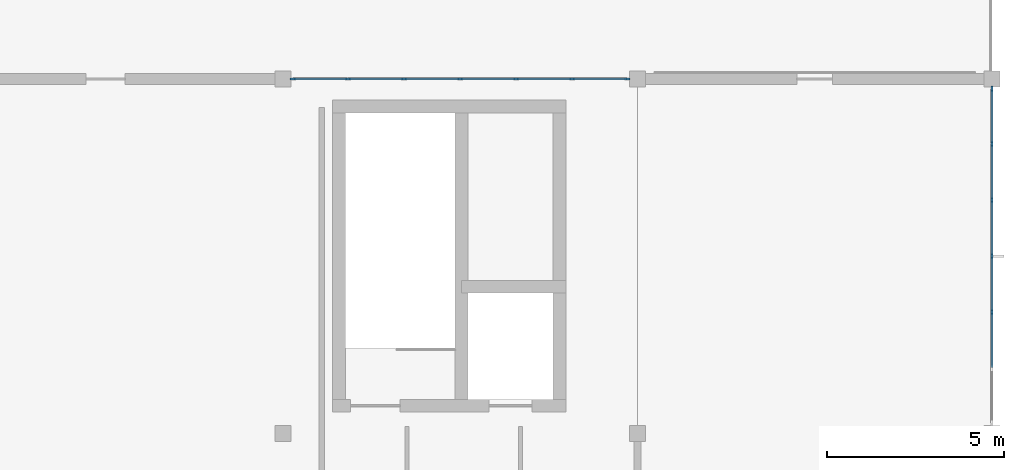
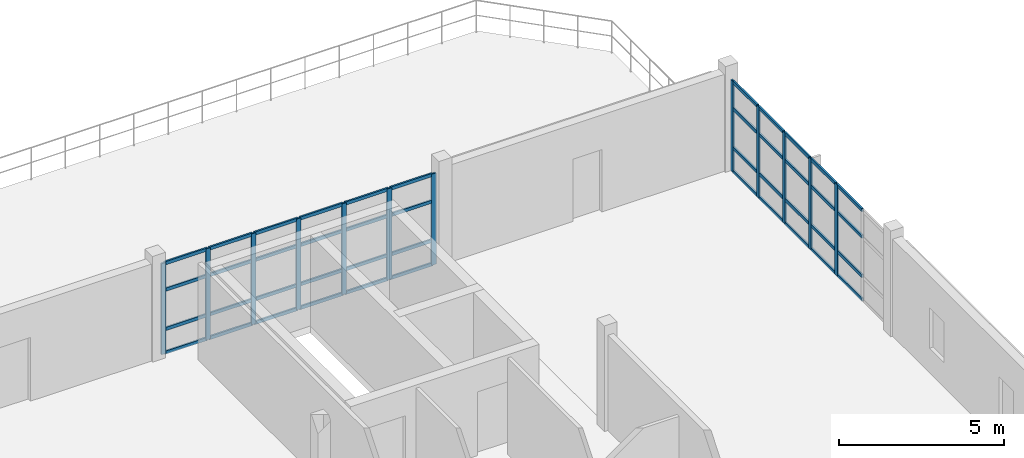
# One storey, part 6 of 11: 56 members, 2 elements without a shape of their own.
"""IFC4 building model written with IfcOpenShell, lengths in metres."""

from ifc_helpers import new_model, si_unit, direction, frame, origin, origin_2d, place, context, subcontext, project, spatial, rectangle, extrude, material, layer, layer_set, material_profile, profile_set, type_object, element, aggregate, save


model = new_model("IFC4")

# Units and contexts
model_context = context("Model", 3, precision=1e-05, world=origin(), true_north=direction((0.0, 1.0)))
body_context = subcontext(model_context, "Body", "Model", "MODEL_VIEW")
ifc_project = project(units=[si_unit("LENGTHUNIT", "METRE"), si_unit("AREAUNIT", "SQUARE_METRE"), si_unit("VOLUMEUNIT", "CUBIC_METRE"), si_unit("PLANEANGLEUNIT", "RADIAN"), si_unit("MASSUNIT", "GRAM", prefix="KILO"), si_unit("THERMODYNAMICTEMPERATUREUNIT", "KELVIN"), si_unit("POWERUNIT", "WATT")], contexts=[model_context])

# Site, building, storey
site_placement = place(None, origin())
site = spatial("IfcSite", under=ifc_project, at=site_placement, CompositionType="ELEMENT")
building_placement = place(site_placement, origin())
building = spatial("IfcBuilding", under=site, at=building_placement, Name="Korenveer Ferry Terminal", CompositionType="ELEMENT")
storey_placement = place(building_placement, frame((0.0, 0.0, 18.300048828125)))
storey = spatial("IfcBuildingStorey", under=building, at=storey_placement, Name="L04", CompositionType="ELEMENT", Elevation=18.300048828125)

# Curtain wall, members
ifc_material_1 = material(Name="Unitised bronze-and-glass curtain wall", Category="glass")
ifc_layer = layer(ifc_material_1, 0.159912109375)
ifc_layer_set = layer_set([ifc_layer], Name="Unitised bronze-and-glass curtain wall")
curtain_wall_type = type_object("IfcCurtainWallType", Name="ENV-CW-131", PredefinedType="USERDEFINED", material=ifc_layer_set)
curtain_wall_1_placement = place(storey_placement, frame((10.2548828125, 60.0, 0.0)))
curtain_wall_1 = element("IfcCurtainWall", 1, at=curtain_wall_1_placement, inside=storey, type_object=curtain_wall_type, Name="Lancet curtain wall CWX-L04-X10-20-Y60-60", ObjectType="UNITISED CURTAIN WALL", PredefinedType="USERDEFINED")
ifc_material_2 = material(Name="Anodised bronze aluminium", Category="aluminium")
ifc_material_profile_1 = material_profile(ifc_material_2, rectangle(XDim=0.06005859375, YDim=0.159912109375, at=origin_2d()), Name="ALU 60x160")
ifc_profile_set_1 = profile_set([ifc_material_profile_1], Name="Anodised bronze aluminium")
member_type_1 = type_object("IfcMemberType", Name="ENV-CWM-60X160", PredefinedType="MULLION", material=ifc_profile_set_1)
member_1_placement = place(storey_placement, frame((10.284912109375, 60.0, 0.0), z_axis=(0.0, 0.0, 1.0), x_axis=(0.0, 1.0, 0.0)))
member_1 = element("IfcMember", 2, at=member_1_placement, type_object=member_type_1, Name="CW-131 mullion 1", PredefinedType="MULLION", context=body_context, shape_type="SweptSolid", body=[
    extrude(rectangle(XDim=0.06005859375, YDim=0.159912109375, at=origin_2d()), origin(), (0.0, 0.0, 1.0), 3.35986328125),
])
member_2_placement = place(storey_placement, frame((11.836669921875, 60.0, 0.0), z_axis=(0.0, 0.0, 1.0), x_axis=(0.0, 1.0, 0.0)))
member_2 = element("IfcMember", 3, at=member_2_placement, type_object=member_type_1, Name="CW-131 mullion 2", PredefinedType="MULLION", context=body_context, shape_type="SweptSolid", body=[
    extrude(rectangle(XDim=0.06005859375, YDim=0.159912109375, at=origin_2d()), origin(), (0.0, 0.0, 1.0), 3.35986328125),
])
member_3_placement = place(storey_placement, frame((13.418212890625, 60.0, 0.0), z_axis=(0.0, 0.0, 1.0), x_axis=(0.0, 1.0, 0.0)))
member_3 = element("IfcMember", 4, at=member_3_placement, type_object=member_type_1, Name="CW-131 mullion 3", PredefinedType="MULLION", context=body_context, shape_type="SweptSolid", body=[
    extrude(rectangle(XDim=0.06005859375, YDim=0.159912109375, at=origin_2d()), origin(), (0.0, 0.0, 1.0), 3.35986328125),
])
member_4_placement = place(storey_placement, frame((15.0, 60.0, 0.0), z_axis=(0.0, 0.0, 1.0), x_axis=(0.0, 1.0, 0.0)))
member_4 = element("IfcMember", 5, at=member_4_placement, type_object=member_type_1, Name="CW-131 mullion 4", PredefinedType="MULLION", context=body_context, shape_type="SweptSolid", body=[
    extrude(rectangle(XDim=0.06005859375, YDim=0.159912109375, at=origin_2d()), origin(), (0.0, 0.0, 1.0), 3.35986328125),
])
member_5_placement = place(storey_placement, frame((16.581787109375, 60.0, 0.0), z_axis=(0.0, 0.0, 1.0), x_axis=(0.0, 1.0, 0.0)))
member_5 = element("IfcMember", 6, at=member_5_placement, type_object=member_type_1, Name="CW-131 mullion 5", PredefinedType="MULLION", context=body_context, shape_type="SweptSolid", body=[
    extrude(rectangle(XDim=0.06005859375, YDim=0.159912109375, at=origin_2d()), origin(), (0.0, 0.0, 1.0), 3.35986328125),
])
member_6_placement = place(storey_placement, frame((18.163330078125, 60.0, 0.0), z_axis=(0.0, 0.0, 1.0), x_axis=(0.0, 1.0, 0.0)))
member_6 = element("IfcMember", 7, at=member_6_placement, type_object=member_type_1, Name="CW-131 mullion 6", PredefinedType="MULLION", context=body_context, shape_type="SweptSolid", body=[
    extrude(rectangle(XDim=0.06005859375, YDim=0.159912109375, at=origin_2d()), origin(), (0.0, 0.0, 1.0), 3.35986328125),
])
member_7_placement = place(storey_placement, frame((19.715087890625, 60.0, 0.0), z_axis=(0.0, 0.0, 1.0), x_axis=(0.0, 1.0, 0.0)))
member_7 = element("IfcMember", 8, at=member_7_placement, type_object=member_type_1, Name="CW-131 mullion 7", PredefinedType="MULLION", context=body_context, shape_type="SweptSolid", body=[
    extrude(rectangle(XDim=0.06005859375, YDim=0.159912109375, at=origin_2d()), origin(), (0.0, 0.0, 1.0), 3.35986328125),
])

curtain_wall_2_placement = place(storey_placement, frame((30.0, 59.7451171875, 0.0)))
curtain_wall_2 = element("IfcCurtainWall", 9, at=curtain_wall_2_placement, inside=storey, type_object=curtain_wall_type, Name="Lancet curtain wall CWX-L04-X30-30-Y50-60", ObjectType="UNITISED CURTAIN WALL", PredefinedType="USERDEFINED")
member_8_placement = place(storey_placement, frame((30.0, 59.715087890625, 0.0), z_axis=(0.0, 0.0, 1.0), x_axis=(1.0, 0.0, 0.0)))
member_8 = element("IfcMember", 10, at=member_8_placement, type_object=member_type_1, Name="CW-131 mullion 1", PredefinedType="MULLION", context=body_context, shape_type="SweptSolid", body=[
    extrude(rectangle(XDim=0.06005859375, YDim=0.159912109375, at=origin_2d()), origin(), (0.0, 0.0, 1.0), 3.35986328125),
])
member_9_placement = place(storey_placement, frame((30.0, 58.163330078125, 0.0), z_axis=(0.0, 0.0, 1.0), x_axis=(1.0, 0.0, 0.0)))
member_9 = element("IfcMember", 11, at=member_9_placement, type_object=member_type_1, Name="CW-131 mullion 2", PredefinedType="MULLION", context=body_context, shape_type="SweptSolid", body=[
    extrude(rectangle(XDim=0.06005859375, YDim=0.159912109375, at=origin_2d()), origin(), (0.0, 0.0, 1.0), 3.35986328125),
])
member_10_placement = place(storey_placement, frame((30.0, 56.581787109375, 0.0), z_axis=(0.0, 0.0, 1.0), x_axis=(1.0, 0.0, 0.0)))
member_10 = element("IfcMember", 12, at=member_10_placement, type_object=member_type_1, Name="CW-131 mullion 3", PredefinedType="MULLION", context=body_context, shape_type="SweptSolid", body=[
    extrude(rectangle(XDim=0.06005859375, YDim=0.159912109375, at=origin_2d()), origin(), (0.0, 0.0, 1.0), 3.35986328125),
])
member_11_placement = place(storey_placement, frame((30.0, 55.0, 0.0), z_axis=(0.0, 0.0, 1.0), x_axis=(1.0, 0.0, 0.0)))
member_11 = element("IfcMember", 13, at=member_11_placement, type_object=member_type_1, Name="CW-131 mullion 4", PredefinedType="MULLION", context=body_context, shape_type="SweptSolid", body=[
    extrude(rectangle(XDim=0.06005859375, YDim=0.159912109375, at=origin_2d()), origin(), (0.0, 0.0, 1.0), 3.35986328125),
])
member_12_placement = place(storey_placement, frame((30.0, 53.418212890625, 0.0), z_axis=(0.0, 0.0, 1.0), x_axis=(1.0, 0.0, 0.0)))
member_12 = element("IfcMember", 14, at=member_12_placement, type_object=member_type_1, Name="CW-131 mullion 5", PredefinedType="MULLION", context=body_context, shape_type="SweptSolid", body=[
    extrude(rectangle(XDim=0.06005859375, YDim=0.159912109375, at=origin_2d()), origin(), (0.0, 0.0, 1.0), 3.35986328125),
])

# Member
ifc_material_profile_2 = material_profile(ifc_material_2, rectangle(XDim=0.06005859375, YDim=0.1201171875, at=origin_2d()), Name="ALU 60x120")
ifc_profile_set_2 = profile_set([ifc_material_profile_2], Name="Anodised bronze aluminium")
member_type_2 = type_object("IfcMemberType", Name="ENV-CWT-60X120", PredefinedType="USERDEFINED", material=ifc_profile_set_2)
member_13_placement = place(storey_placement, frame((10.31494140625, 60.0, 0.030029296875), z_axis=(1.0, 0.0, 0.0), x_axis=(0.0, 1.0, 0.0)))
member_13 = element("IfcMember", 15, at=member_13_placement, type_object=member_type_2, Name="CW-131 transom 1.1", ObjectType="TRANSOM", PredefinedType="USERDEFINED", context=body_context, shape_type="SweptSolid", body=[
    extrude(rectangle(XDim=0.06005859375, YDim=0.1201171875, at=origin_2d()), origin(), (0.0, 0.0, 1.0), 1.49169921875),
])

member_14_placement = place(storey_placement, frame((10.31494140625, 60.0, 0.89990234375), z_axis=(1.0, 0.0, 0.0), x_axis=(0.0, 1.0, 0.0)))
member_14 = element("IfcMember", 16, at=member_14_placement, type_object=member_type_2, Name="CW-131 transom 1.2", ObjectType="TRANSOM", PredefinedType="USERDEFINED", context=body_context, shape_type="SweptSolid", body=[
    extrude(rectangle(XDim=0.06005859375, YDim=0.1201171875, at=origin_2d()), origin(), (0.0, 0.0, 1.0), 1.49169921875),
])

member_15_placement = place(storey_placement, frame((10.31494140625, 60.0, 2.349853515625), z_axis=(1.0, 0.0, 0.0), x_axis=(0.0, 1.0, 0.0)))
member_15 = element("IfcMember", 17, at=member_15_placement, type_object=member_type_2, Name="CW-131 transom 1.3", ObjectType="TRANSOM", PredefinedType="USERDEFINED", context=body_context, shape_type="SweptSolid", body=[
    extrude(rectangle(XDim=0.06005859375, YDim=0.1201171875, at=origin_2d()), origin(), (0.0, 0.0, 1.0), 1.49169921875),
])

member_16_placement = place(storey_placement, frame((10.31494140625, 60.0, 3.329833984375), z_axis=(1.0, 0.0, 0.0), x_axis=(0.0, 1.0, 0.0)))
member_16 = element("IfcMember", 18, at=member_16_placement, type_object=member_type_2, Name="CW-131 transom 1.4", ObjectType="TRANSOM", PredefinedType="USERDEFINED", context=body_context, shape_type="SweptSolid", body=[
    extrude(rectangle(XDim=0.06005859375, YDim=0.1201171875, at=origin_2d()), origin(), (0.0, 0.0, 1.0), 1.49169921875),
])

member_17_placement = place(storey_placement, frame((11.86669921875, 60.0, 0.030029296875), z_axis=(1.0, 0.0, 0.0), x_axis=(0.0, 1.0, 0.0)))
member_17 = element("IfcMember", 19, at=member_17_placement, type_object=member_type_2, Name="CW-131 transom 2.1", ObjectType="TRANSOM", PredefinedType="USERDEFINED", context=body_context, shape_type="SweptSolid", body=[
    extrude(rectangle(XDim=0.06005859375, YDim=0.1201171875, at=origin_2d()), origin(), (0.0, 0.0, 1.0), 1.521728515625),
])

member_18_placement = place(storey_placement, frame((11.86669921875, 60.0, 0.89990234375), z_axis=(1.0, 0.0, 0.0), x_axis=(0.0, 1.0, 0.0)))
member_18 = element("IfcMember", 20, at=member_18_placement, type_object=member_type_2, Name="CW-131 transom 2.2", ObjectType="TRANSOM", PredefinedType="USERDEFINED", context=body_context, shape_type="SweptSolid", body=[
    extrude(rectangle(XDim=0.06005859375, YDim=0.1201171875, at=origin_2d()), origin(), (0.0, 0.0, 1.0), 1.521728515625),
])

member_19_placement = place(storey_placement, frame((11.86669921875, 60.0, 2.349853515625), z_axis=(1.0, 0.0, 0.0), x_axis=(0.0, 1.0, 0.0)))
member_19 = element("IfcMember", 21, at=member_19_placement, type_object=member_type_2, Name="CW-131 transom 2.3", ObjectType="TRANSOM", PredefinedType="USERDEFINED", context=body_context, shape_type="SweptSolid", body=[
    extrude(rectangle(XDim=0.06005859375, YDim=0.1201171875, at=origin_2d()), origin(), (0.0, 0.0, 1.0), 1.521728515625),
])

member_20_placement = place(storey_placement, frame((11.86669921875, 60.0, 3.329833984375), z_axis=(1.0, 0.0, 0.0), x_axis=(0.0, 1.0, 0.0)))
member_20 = element("IfcMember", 22, at=member_20_placement, type_object=member_type_2, Name="CW-131 transom 2.4", ObjectType="TRANSOM", PredefinedType="USERDEFINED", context=body_context, shape_type="SweptSolid", body=[
    extrude(rectangle(XDim=0.06005859375, YDim=0.1201171875, at=origin_2d()), origin(), (0.0, 0.0, 1.0), 1.521728515625),
])

member_21_placement = place(storey_placement, frame((13.4482421875, 60.0, 0.030029296875), z_axis=(1.0, 0.0, 0.0), x_axis=(0.0, 1.0, 0.0)))
member_21 = element("IfcMember", 23, at=member_21_placement, type_object=member_type_2, Name="CW-131 transom 3.1", ObjectType="TRANSOM", PredefinedType="USERDEFINED", context=body_context, shape_type="SweptSolid", body=[
    extrude(rectangle(XDim=0.06005859375, YDim=0.1201171875, at=origin_2d()), origin(), (0.0, 0.0, 1.0), 1.521728515625),
])

member_22_placement = place(storey_placement, frame((13.4482421875, 60.0, 0.89990234375), z_axis=(1.0, 0.0, 0.0), x_axis=(0.0, 1.0, 0.0)))
member_22 = element("IfcMember", 24, at=member_22_placement, type_object=member_type_2, Name="CW-131 transom 3.2", ObjectType="TRANSOM", PredefinedType="USERDEFINED", context=body_context, shape_type="SweptSolid", body=[
    extrude(rectangle(XDim=0.06005859375, YDim=0.1201171875, at=origin_2d()), origin(), (0.0, 0.0, 1.0), 1.521728515625),
])

member_23_placement = place(storey_placement, frame((13.4482421875, 60.0, 2.349853515625), z_axis=(1.0, 0.0, 0.0), x_axis=(0.0, 1.0, 0.0)))
member_23 = element("IfcMember", 25, at=member_23_placement, type_object=member_type_2, Name="CW-131 transom 3.3", ObjectType="TRANSOM", PredefinedType="USERDEFINED", context=body_context, shape_type="SweptSolid", body=[
    extrude(rectangle(XDim=0.06005859375, YDim=0.1201171875, at=origin_2d()), origin(), (0.0, 0.0, 1.0), 1.521728515625),
])

member_24_placement = place(storey_placement, frame((13.4482421875, 60.0, 3.329833984375), z_axis=(1.0, 0.0, 0.0), x_axis=(0.0, 1.0, 0.0)))
member_24 = element("IfcMember", 26, at=member_24_placement, type_object=member_type_2, Name="CW-131 transom 3.4", ObjectType="TRANSOM", PredefinedType="USERDEFINED", context=body_context, shape_type="SweptSolid", body=[
    extrude(rectangle(XDim=0.06005859375, YDim=0.1201171875, at=origin_2d()), origin(), (0.0, 0.0, 1.0), 1.521728515625),
])

member_25_placement = place(storey_placement, frame((15.030029296875, 60.0, 0.030029296875), z_axis=(1.0, 0.0, 0.0), x_axis=(0.0, 1.0, 0.0)))
member_25 = element("IfcMember", 27, at=member_25_placement, type_object=member_type_2, Name="CW-131 transom 4.1", ObjectType="TRANSOM", PredefinedType="USERDEFINED", context=body_context, shape_type="SweptSolid", body=[
    extrude(rectangle(XDim=0.06005859375, YDim=0.1201171875, at=origin_2d()), origin(), (0.0, 0.0, 1.0), 1.521728515625),
])

member_26_placement = place(storey_placement, frame((15.030029296875, 60.0, 0.89990234375), z_axis=(1.0, 0.0, 0.0), x_axis=(0.0, 1.0, 0.0)))
member_26 = element("IfcMember", 28, at=member_26_placement, type_object=member_type_2, Name="CW-131 transom 4.2", ObjectType="TRANSOM", PredefinedType="USERDEFINED", context=body_context, shape_type="SweptSolid", body=[
    extrude(rectangle(XDim=0.06005859375, YDim=0.1201171875, at=origin_2d()), origin(), (0.0, 0.0, 1.0), 1.521728515625),
])

member_27_placement = place(storey_placement, frame((15.030029296875, 60.0, 2.349853515625), z_axis=(1.0, 0.0, 0.0), x_axis=(0.0, 1.0, 0.0)))
member_27 = element("IfcMember", 29, at=member_27_placement, type_object=member_type_2, Name="CW-131 transom 4.3", ObjectType="TRANSOM", PredefinedType="USERDEFINED", context=body_context, shape_type="SweptSolid", body=[
    extrude(rectangle(XDim=0.06005859375, YDim=0.1201171875, at=origin_2d()), origin(), (0.0, 0.0, 1.0), 1.521728515625),
])

member_28_placement = place(storey_placement, frame((15.030029296875, 60.0, 3.329833984375), z_axis=(1.0, 0.0, 0.0), x_axis=(0.0, 1.0, 0.0)))
member_28 = element("IfcMember", 30, at=member_28_placement, type_object=member_type_2, Name="CW-131 transom 4.4", ObjectType="TRANSOM", PredefinedType="USERDEFINED", context=body_context, shape_type="SweptSolid", body=[
    extrude(rectangle(XDim=0.06005859375, YDim=0.1201171875, at=origin_2d()), origin(), (0.0, 0.0, 1.0), 1.521728515625),
])

member_29_placement = place(storey_placement, frame((16.611572265625, 60.0, 0.030029296875), z_axis=(1.0, 0.0, 0.0), x_axis=(0.0, 1.0, 0.0)))
member_29 = element("IfcMember", 31, at=member_29_placement, type_object=member_type_2, Name="CW-131 transom 5.1", ObjectType="TRANSOM", PredefinedType="USERDEFINED", context=body_context, shape_type="SweptSolid", body=[
    extrude(rectangle(XDim=0.06005859375, YDim=0.1201171875, at=origin_2d()), origin(), (0.0, 0.0, 1.0), 1.521728515625),
])

member_30_placement = place(storey_placement, frame((16.611572265625, 60.0, 0.89990234375), z_axis=(1.0, 0.0, 0.0), x_axis=(0.0, 1.0, 0.0)))
member_30 = element("IfcMember", 32, at=member_30_placement, type_object=member_type_2, Name="CW-131 transom 5.2", ObjectType="TRANSOM", PredefinedType="USERDEFINED", context=body_context, shape_type="SweptSolid", body=[
    extrude(rectangle(XDim=0.06005859375, YDim=0.1201171875, at=origin_2d()), origin(), (0.0, 0.0, 1.0), 1.521728515625),
])

member_31_placement = place(storey_placement, frame((16.611572265625, 60.0, 2.349853515625), z_axis=(1.0, 0.0, 0.0), x_axis=(0.0, 1.0, 0.0)))
member_31 = element("IfcMember", 33, at=member_31_placement, type_object=member_type_2, Name="CW-131 transom 5.3", ObjectType="TRANSOM", PredefinedType="USERDEFINED", context=body_context, shape_type="SweptSolid", body=[
    extrude(rectangle(XDim=0.06005859375, YDim=0.1201171875, at=origin_2d()), origin(), (0.0, 0.0, 1.0), 1.521728515625),
])

member_32_placement = place(storey_placement, frame((16.611572265625, 60.0, 3.329833984375), z_axis=(1.0, 0.0, 0.0), x_axis=(0.0, 1.0, 0.0)))
member_32 = element("IfcMember", 34, at=member_32_placement, type_object=member_type_2, Name="CW-131 transom 5.4", ObjectType="TRANSOM", PredefinedType="USERDEFINED", context=body_context, shape_type="SweptSolid", body=[
    extrude(rectangle(XDim=0.06005859375, YDim=0.1201171875, at=origin_2d()), origin(), (0.0, 0.0, 1.0), 1.521728515625),
])

member_33_placement = place(storey_placement, frame((18.193359375, 60.0, 0.030029296875), z_axis=(1.0, 0.0, 0.0), x_axis=(0.0, 1.0, 0.0)))
member_33 = element("IfcMember", 35, at=member_33_placement, type_object=member_type_2, Name="CW-131 transom 6.1", ObjectType="TRANSOM", PredefinedType="USERDEFINED", context=body_context, shape_type="SweptSolid", body=[
    extrude(rectangle(XDim=0.06005859375, YDim=0.1201171875, at=origin_2d()), origin(), (0.0, 0.0, 1.0), 1.49169921875),
])

member_34_placement = place(storey_placement, frame((18.193359375, 60.0, 0.89990234375), z_axis=(1.0, 0.0, 0.0), x_axis=(0.0, 1.0, 0.0)))
member_34 = element("IfcMember", 36, at=member_34_placement, type_object=member_type_2, Name="CW-131 transom 6.2", ObjectType="TRANSOM", PredefinedType="USERDEFINED", context=body_context, shape_type="SweptSolid", body=[
    extrude(rectangle(XDim=0.06005859375, YDim=0.1201171875, at=origin_2d()), origin(), (0.0, 0.0, 1.0), 1.49169921875),
])

member_35_placement = place(storey_placement, frame((18.193359375, 60.0, 2.349853515625), z_axis=(1.0, 0.0, 0.0), x_axis=(0.0, 1.0, 0.0)))
member_35 = element("IfcMember", 37, at=member_35_placement, type_object=member_type_2, Name="CW-131 transom 6.3", ObjectType="TRANSOM", PredefinedType="USERDEFINED", context=body_context, shape_type="SweptSolid", body=[
    extrude(rectangle(XDim=0.06005859375, YDim=0.1201171875, at=origin_2d()), origin(), (0.0, 0.0, 1.0), 1.49169921875),
])

member_36_placement = place(storey_placement, frame((18.193359375, 60.0, 3.329833984375), z_axis=(1.0, 0.0, 0.0), x_axis=(0.0, 1.0, 0.0)))
member_36 = element("IfcMember", 38, at=member_36_placement, type_object=member_type_2, Name="CW-131 transom 6.4", ObjectType="TRANSOM", PredefinedType="USERDEFINED", context=body_context, shape_type="SweptSolid", body=[
    extrude(rectangle(XDim=0.06005859375, YDim=0.1201171875, at=origin_2d()), origin(), (0.0, 0.0, 1.0), 1.49169921875),
])

aggregate(curtain_wall_1, [member_1, member_2, member_3, member_4, member_5, member_6, member_7, member_13, member_14, member_15, member_16, member_17, member_18, member_19, member_20, member_21, member_22, member_23, member_24, member_25, member_26, member_27, member_28, member_29, member_30, member_31, member_32, member_33, member_34, member_35, member_36])

member_37_placement = place(storey_placement, frame((30.0, 59.68505859375, 0.030029296875), z_axis=(0.0, -1.0, 0.0), x_axis=(1.0, 0.0, 0.0)))
member_37 = element("IfcMember", 39, at=member_37_placement, type_object=member_type_2, Name="CW-131 transom 1.1", ObjectType="TRANSOM", PredefinedType="USERDEFINED", context=body_context, shape_type="SweptSolid", body=[
    extrude(rectangle(XDim=0.06005859375, YDim=0.1201171875, at=origin_2d()), origin(), (0.0, 0.0, 1.0), 1.49169921875),
])

member_38_placement = place(storey_placement, frame((30.0, 59.68505859375, 0.89990234375), z_axis=(0.0, -1.0, 0.0), x_axis=(1.0, 0.0, 0.0)))
member_38 = element("IfcMember", 40, at=member_38_placement, type_object=member_type_2, Name="CW-131 transom 1.2", ObjectType="TRANSOM", PredefinedType="USERDEFINED", context=body_context, shape_type="SweptSolid", body=[
    extrude(rectangle(XDim=0.06005859375, YDim=0.1201171875, at=origin_2d()), origin(), (0.0, 0.0, 1.0), 1.49169921875),
])

member_39_placement = place(storey_placement, frame((30.0, 59.68505859375, 2.349853515625), z_axis=(0.0, -1.0, 0.0), x_axis=(1.0, 0.0, 0.0)))
member_39 = element("IfcMember", 41, at=member_39_placement, type_object=member_type_2, Name="CW-131 transom 1.3", ObjectType="TRANSOM", PredefinedType="USERDEFINED", context=body_context, shape_type="SweptSolid", body=[
    extrude(rectangle(XDim=0.06005859375, YDim=0.1201171875, at=origin_2d()), origin(), (0.0, 0.0, 1.0), 1.49169921875),
])

member_40_placement = place(storey_placement, frame((30.0, 59.68505859375, 3.329833984375), z_axis=(0.0, -1.0, 0.0), x_axis=(1.0, 0.0, 0.0)))
member_40 = element("IfcMember", 42, at=member_40_placement, type_object=member_type_2, Name="CW-131 transom 1.4", ObjectType="TRANSOM", PredefinedType="USERDEFINED", context=body_context, shape_type="SweptSolid", body=[
    extrude(rectangle(XDim=0.06005859375, YDim=0.1201171875, at=origin_2d()), origin(), (0.0, 0.0, 1.0), 1.49169921875),
])

member_41_placement = place(storey_placement, frame((30.0, 58.13330078125, 0.030029296875), z_axis=(0.0, -1.0, 0.0), x_axis=(1.0, 0.0, 0.0)))
member_41 = element("IfcMember", 43, at=member_41_placement, type_object=member_type_2, Name="CW-131 transom 2.1", ObjectType="TRANSOM", PredefinedType="USERDEFINED", context=body_context, shape_type="SweptSolid", body=[
    extrude(rectangle(XDim=0.06005859375, YDim=0.1201171875, at=origin_2d()), origin(), (0.0, 0.0, 1.0), 1.521728515625),
])

member_42_placement = place(storey_placement, frame((30.0, 58.13330078125, 0.89990234375), z_axis=(0.0, -1.0, 0.0), x_axis=(1.0, 0.0, 0.0)))
member_42 = element("IfcMember", 44, at=member_42_placement, type_object=member_type_2, Name="CW-131 transom 2.2", ObjectType="TRANSOM", PredefinedType="USERDEFINED", context=body_context, shape_type="SweptSolid", body=[
    extrude(rectangle(XDim=0.06005859375, YDim=0.1201171875, at=origin_2d()), origin(), (0.0, 0.0, 1.0), 1.521728515625),
])

member_43_placement = place(storey_placement, frame((30.0, 58.13330078125, 2.349853515625), z_axis=(0.0, -1.0, 0.0), x_axis=(1.0, 0.0, 0.0)))
member_43 = element("IfcMember", 45, at=member_43_placement, type_object=member_type_2, Name="CW-131 transom 2.3", ObjectType="TRANSOM", PredefinedType="USERDEFINED", context=body_context, shape_type="SweptSolid", body=[
    extrude(rectangle(XDim=0.06005859375, YDim=0.1201171875, at=origin_2d()), origin(), (0.0, 0.0, 1.0), 1.521728515625),
])

member_44_placement = place(storey_placement, frame((30.0, 58.13330078125, 3.329833984375), z_axis=(0.0, -1.0, 0.0), x_axis=(1.0, 0.0, 0.0)))
member_44 = element("IfcMember", 46, at=member_44_placement, type_object=member_type_2, Name="CW-131 transom 2.4", ObjectType="TRANSOM", PredefinedType="USERDEFINED", context=body_context, shape_type="SweptSolid", body=[
    extrude(rectangle(XDim=0.06005859375, YDim=0.1201171875, at=origin_2d()), origin(), (0.0, 0.0, 1.0), 1.521728515625),
])

member_45_placement = place(storey_placement, frame((30.0, 56.5517578125, 0.030029296875), z_axis=(0.0, -1.0, 0.0), x_axis=(1.0, 0.0, 0.0)))
member_45 = element("IfcMember", 47, at=member_45_placement, type_object=member_type_2, Name="CW-131 transom 3.1", ObjectType="TRANSOM", PredefinedType="USERDEFINED", context=body_context, shape_type="SweptSolid", body=[
    extrude(rectangle(XDim=0.06005859375, YDim=0.1201171875, at=origin_2d()), origin(), (0.0, 0.0, 1.0), 1.521728515625),
])

member_46_placement = place(storey_placement, frame((30.0, 56.5517578125, 0.89990234375), z_axis=(0.0, -1.0, 0.0), x_axis=(1.0, 0.0, 0.0)))
member_46 = element("IfcMember", 48, at=member_46_placement, type_object=member_type_2, Name="CW-131 transom 3.2", ObjectType="TRANSOM", PredefinedType="USERDEFINED", context=body_context, shape_type="SweptSolid", body=[
    extrude(rectangle(XDim=0.06005859375, YDim=0.1201171875, at=origin_2d()), origin(), (0.0, 0.0, 1.0), 1.521728515625),
])

member_47_placement = place(storey_placement, frame((30.0, 56.5517578125, 2.349853515625), z_axis=(0.0, -1.0, 0.0), x_axis=(1.0, 0.0, 0.0)))
member_47 = element("IfcMember", 49, at=member_47_placement, type_object=member_type_2, Name="CW-131 transom 3.3", ObjectType="TRANSOM", PredefinedType="USERDEFINED", context=body_context, shape_type="SweptSolid", body=[
    extrude(rectangle(XDim=0.06005859375, YDim=0.1201171875, at=origin_2d()), origin(), (0.0, 0.0, 1.0), 1.521728515625),
])

member_48_placement = place(storey_placement, frame((30.0, 56.5517578125, 3.329833984375), z_axis=(0.0, -1.0, 0.0), x_axis=(1.0, 0.0, 0.0)))
member_48 = element("IfcMember", 50, at=member_48_placement, type_object=member_type_2, Name="CW-131 transom 3.4", ObjectType="TRANSOM", PredefinedType="USERDEFINED", context=body_context, shape_type="SweptSolid", body=[
    extrude(rectangle(XDim=0.06005859375, YDim=0.1201171875, at=origin_2d()), origin(), (0.0, 0.0, 1.0), 1.521728515625),
])

member_49_placement = place(storey_placement, frame((30.0, 54.969970703125, 0.030029296875), z_axis=(0.0, -1.0, 0.0), x_axis=(1.0, 0.0, 0.0)))
member_49 = element("IfcMember", 51, at=member_49_placement, type_object=member_type_2, Name="CW-131 transom 4.1", ObjectType="TRANSOM", PredefinedType="USERDEFINED", context=body_context, shape_type="SweptSolid", body=[
    extrude(rectangle(XDim=0.06005859375, YDim=0.1201171875, at=origin_2d()), origin(), (0.0, 0.0, 1.0), 1.521728515625),
])

member_50_placement = place(storey_placement, frame((30.0, 54.969970703125, 0.89990234375), z_axis=(0.0, -1.0, 0.0), x_axis=(1.0, 0.0, 0.0)))
member_50 = element("IfcMember", 52, at=member_50_placement, type_object=member_type_2, Name="CW-131 transom 4.2", ObjectType="TRANSOM", PredefinedType="USERDEFINED", context=body_context, shape_type="SweptSolid", body=[
    extrude(rectangle(XDim=0.06005859375, YDim=0.1201171875, at=origin_2d()), origin(), (0.0, 0.0, 1.0), 1.521728515625),
])

member_51_placement = place(storey_placement, frame((30.0, 54.969970703125, 2.349853515625), z_axis=(0.0, -1.0, 0.0), x_axis=(1.0, 0.0, 0.0)))
member_51 = element("IfcMember", 53, at=member_51_placement, type_object=member_type_2, Name="CW-131 transom 4.3", ObjectType="TRANSOM", PredefinedType="USERDEFINED", context=body_context, shape_type="SweptSolid", body=[
    extrude(rectangle(XDim=0.06005859375, YDim=0.1201171875, at=origin_2d()), origin(), (0.0, 0.0, 1.0), 1.521728515625),
])

member_52_placement = place(storey_placement, frame((30.0, 54.969970703125, 3.329833984375), z_axis=(0.0, -1.0, 0.0), x_axis=(1.0, 0.0, 0.0)))
member_52 = element("IfcMember", 54, at=member_52_placement, type_object=member_type_2, Name="CW-131 transom 4.4", ObjectType="TRANSOM", PredefinedType="USERDEFINED", context=body_context, shape_type="SweptSolid", body=[
    extrude(rectangle(XDim=0.06005859375, YDim=0.1201171875, at=origin_2d()), origin(), (0.0, 0.0, 1.0), 1.521728515625),
])

member_53_placement = place(storey_placement, frame((30.0, 53.388427734375, 0.030029296875), z_axis=(0.0, -1.0, 0.0), x_axis=(1.0, 0.0, 0.0)))
member_53 = element("IfcMember", 55, at=member_53_placement, type_object=member_type_2, Name="CW-131 transom 5.1", ObjectType="TRANSOM", PredefinedType="USERDEFINED", context=body_context, shape_type="SweptSolid", body=[
    extrude(rectangle(XDim=0.06005859375, YDim=0.1201171875, at=origin_2d()), origin(), (0.0, 0.0, 1.0), 1.521728515625),
])

member_54_placement = place(storey_placement, frame((30.0, 53.388427734375, 0.89990234375), z_axis=(0.0, -1.0, 0.0), x_axis=(1.0, 0.0, 0.0)))
member_54 = element("IfcMember", 56, at=member_54_placement, type_object=member_type_2, Name="CW-131 transom 5.2", ObjectType="TRANSOM", PredefinedType="USERDEFINED", context=body_context, shape_type="SweptSolid", body=[
    extrude(rectangle(XDim=0.06005859375, YDim=0.1201171875, at=origin_2d()), origin(), (0.0, 0.0, 1.0), 1.521728515625),
])

member_55_placement = place(storey_placement, frame((30.0, 53.388427734375, 2.349853515625), z_axis=(0.0, -1.0, 0.0), x_axis=(1.0, 0.0, 0.0)))
member_55 = element("IfcMember", 57, at=member_55_placement, type_object=member_type_2, Name="CW-131 transom 5.3", ObjectType="TRANSOM", PredefinedType="USERDEFINED", context=body_context, shape_type="SweptSolid", body=[
    extrude(rectangle(XDim=0.06005859375, YDim=0.1201171875, at=origin_2d()), origin(), (0.0, 0.0, 1.0), 1.521728515625),
])

member_56_placement = place(storey_placement, frame((30.0, 53.388427734375, 3.329833984375), z_axis=(0.0, -1.0, 0.0), x_axis=(1.0, 0.0, 0.0)))
member_56 = element("IfcMember", 58, at=member_56_placement, type_object=member_type_2, Name="CW-131 transom 5.4", ObjectType="TRANSOM", PredefinedType="USERDEFINED", context=body_context, shape_type="SweptSolid", body=[
    extrude(rectangle(XDim=0.06005859375, YDim=0.1201171875, at=origin_2d()), origin(), (0.0, 0.0, 1.0), 1.521728515625),
])

aggregate(curtain_wall_2, [member_8, member_9, member_10, member_11, member_12, member_37, member_38, member_39, member_40, member_41, member_42, member_43, member_44, member_45, member_46, member_47, member_48, member_49, member_50, member_51, member_52, member_53, member_54, member_55, member_56])

save(model, "model.ifc")
